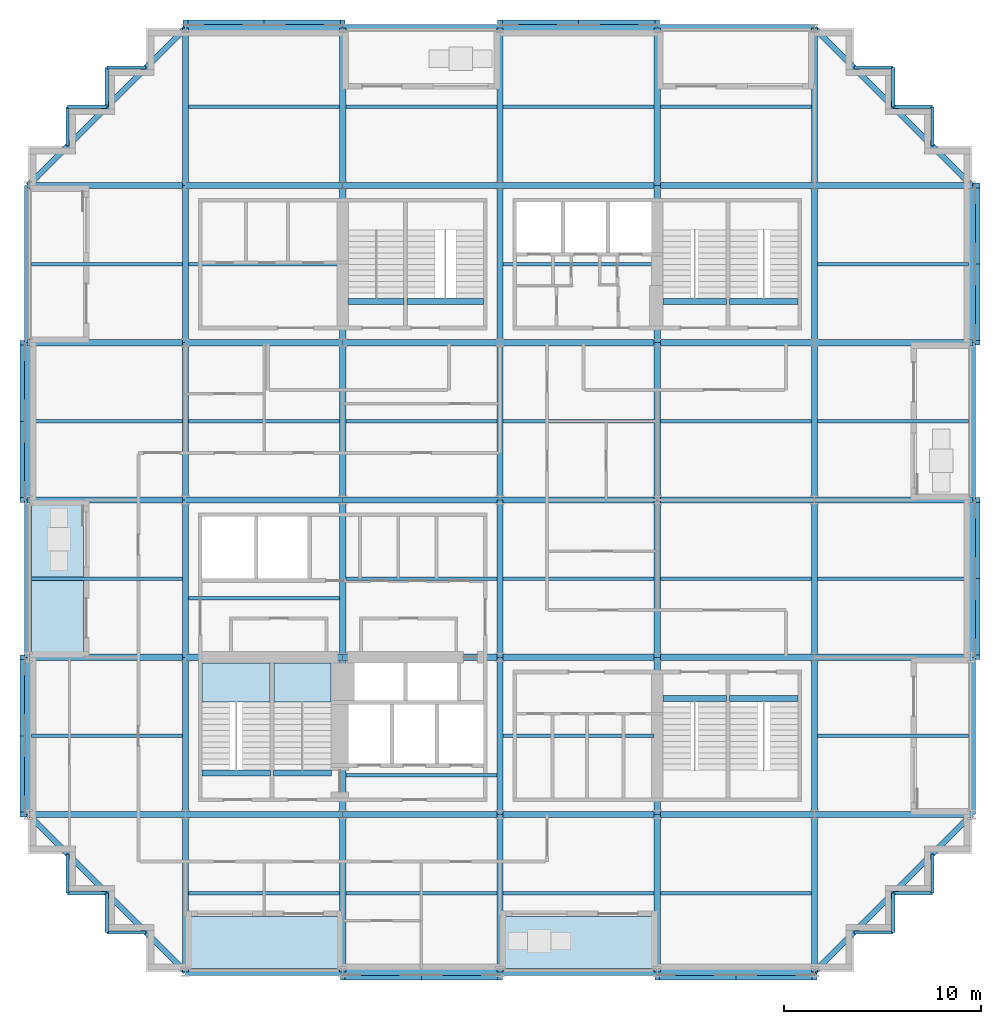
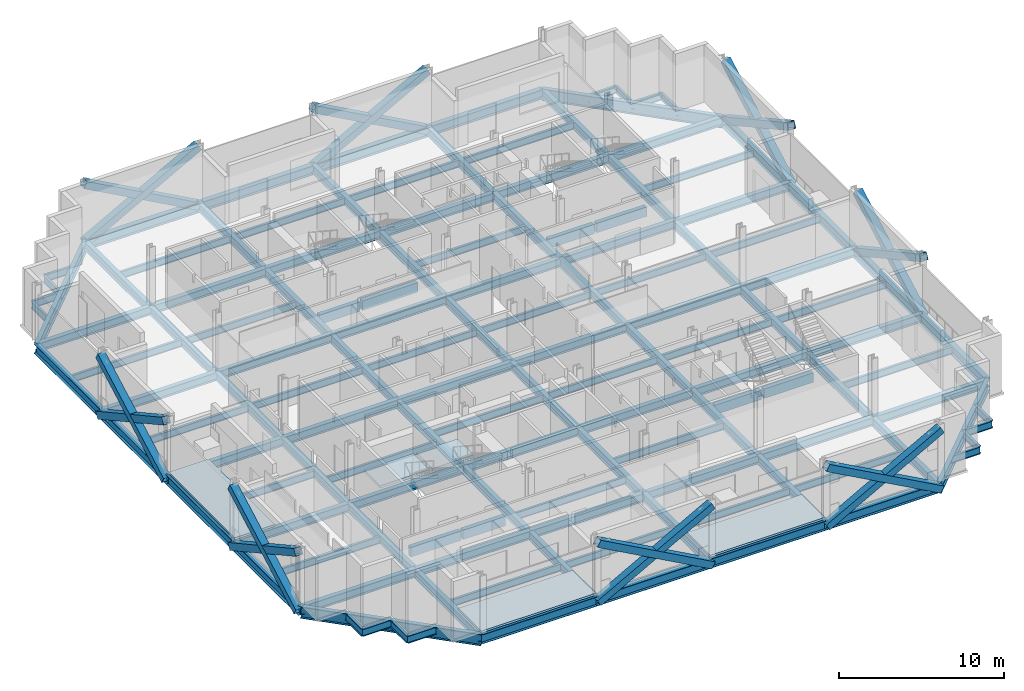
# One storey, part 3 of 14: 132 beams, 16 members, 5 slabs, 2 elements without a shape of their own.
"""IFC4 building model written with IfcOpenShell, lengths in metres."""

from ifc_helpers import new_model, si_unit, direction, frame, origin, origin_2d, place, context, subcontext, project, spatial, polyline, rectangle, hollow_rectangle, i_section, outline, extrude, material, layer, layer_set, material_profile, profile_set, type_object, element, aggregate, save


model = new_model("IFC4")

# Units and contexts
model_context = context("Model", 3, precision=1e-05, world=origin(), true_north=direction((0.0, 1.0)))
body_context = subcontext(model_context, "Body", "Model", "MODEL_VIEW")
ifc_project = project(units=[si_unit("LENGTHUNIT", "METRE"), si_unit("AREAUNIT", "SQUARE_METRE"), si_unit("VOLUMEUNIT", "CUBIC_METRE"), si_unit("PLANEANGLEUNIT", "RADIAN"), si_unit("MASSUNIT", "GRAM", prefix="KILO")], contexts=[model_context])

# Site, building, storey
site_placement = place(None, origin())
site = spatial("IfcSite", under=ifc_project, at=site_placement, CompositionType="ELEMENT")
building_placement = place(site_placement, origin())
building = spatial("IfcBuilding", under=site, at=building_placement, Name="Immortelle Media Tower", CompositionType="ELEMENT")
storey_placement = place(building_placement, frame((0.0, 0.0, 39.199951171875)))
storey = spatial("IfcBuildingStorey", under=building, at=storey_placement, Name="L05", CompositionType="ELEMENT", Elevation=39.199951171875)

# Members
ifc_material_1 = material(Name="Steel ASTM A500 Gr C", Category="steel")
ifc_material_profile_1 = material_profile(ifc_material_1, hollow_rectangle(XDim=0.508056640625, YDim=0.508056640625, WallThickness=0.011962890625, at=origin_2d()), Name="HSS20x20x1/2 brace")
ifc_profile_set_1 = profile_set([ifc_material_profile_1], Name="Steel ASTM A500 Gr C")
member_type = type_object("IfcMemberType", Name="HSS20x20x1/2 brace", PredefinedType="BRACE", material=ifc_profile_set_1)
for number, where, z_axis, x_axis, name in (
    (1, (-0.1640625, 32.0, -0.498046875), (0.0, -0.876209133828, 0.481931067474), (1.0, 0.0, 0.0), "Brace 1/D-E A"),
    (2, (-0.1640625, 32.0, 3.902099609375), (0.0, -0.876209133828, -0.481931067474), (1.0, 0.0, 0.0), "Brace 1/D-E B"),
    (3, (-0.1640625, 16.0, -0.498046875), (0.0, -0.876209133828, 0.481931067474), (1.0, 0.0, 0.0), "Brace 1/B-C A"),
    (4, (-0.1640625, 16.0, 3.902099609375), (0.0, -0.876209133828, -0.481931067474), (1.0, 0.0, 0.0), "Brace 1/B-C B"),
    (5, (16.0, -0.1640625, -0.498046875), (0.876209133828, 0.0, 0.481931067474), (0.0, 1.0, 0.0), "Brace A/3-4 A"),
    (6, (16.0, -0.1640625, 3.902099609375), (0.876209133828, 0.0, -0.481931067474), (0.0, 1.0, 0.0), "Brace A/3-4 B"),
    (7, (32.0, -0.1640625, -0.498046875), (0.876209133828, 0.0, 0.481931067474), (0.0, 1.0, 0.0), "Brace A/5-6 A"),
    (8, (32.0, -0.1640625, 3.902099609375), (0.876209133828, 0.0, -0.481931067474), (0.0, 1.0, 0.0), "Brace A/5-6 B"),
    (9, (48.1640625, 16.0, -0.498046875), (0.0, 0.876209133828, 0.481931067474), (-1.0, 0.0, 0.0), "Brace 7/C-D A"),
    (10, (48.1640625, 16.0, 3.902099609375), (0.0, 0.876209133828, -0.481931067474), (-1.0, 0.0, 0.0), "Brace 7/C-D B"),
    (11, (48.1640625, 32.0, -0.498046875), (0.0, 0.876209133828, 0.481931067474), (-1.0, 0.0, 0.0), "Brace 7/E-F A"),
    (12, (48.1640625, 32.0, 3.902099609375), (0.0, 0.876209133828, -0.481931067474), (-1.0, 0.0, 0.0), "Brace 7/E-F B"),
    (13, (32.0, 48.1640625, -0.498046875), (-0.876209133828, 0.0, 0.481931067474), (0.0, -1.0, 0.0), "Brace G/4-5 A"),
    (14, (32.0, 48.1640625, 3.902099609375), (-0.876209133828, 0.0, -0.481931067474), (0.0, -1.0, 0.0), "Brace G/4-5 B"),
    (15, (16.0, 48.1640625, -0.498046875), (-0.876209133828, 0.0, 0.481931067474), (0.0, -1.0, 0.0), "Brace G/2-3 A"),
    (16, (16.0, 48.1640625, 3.902099609375), (-0.876209133828, 0.0, -0.481931067474), (0.0, -1.0, 0.0), "Brace G/2-3 B"),
):
    element("IfcMember", number, at=place(storey_placement, frame(where, z_axis=z_axis, x_axis=x_axis)), inside=storey, type_object=member_type, Name=name, PredefinedType="BRACE", context=body_context, shape_type="SweptSolid", body=[
        extrude(hollow_rectangle(XDim=0.508056640625, YDim=0.508056640625, WallThickness=0.011962890625, at=origin_2d()), origin(), (0.0, 0.0, 1.0), 9.130126953125),
    ])

# Beams
ifc_material_2 = material(Name="Concrete C50/60", Category="concrete")
ifc_material_profile_2 = material_profile(ifc_material_2, rectangle(XDim=0.300048828125, YDim=0.699951171875, at=origin_2d()), Name="RC 300x700")
ifc_profile_set_2 = profile_set([ifc_material_profile_2], Name="Concrete C50/60")
beam_type_1 = type_object("IfcBeamType", Name="Stair trimmer beam 300 x 700", PredefinedType="BEAM", material=ifc_profile_set_2)
beam_1_placement = place(storey_placement, frame((8.830078125, 10.10498046875, -0.5), z_axis=(1.0, 0.0, 0.0), x_axis=(0.0, 1.0, 0.0)))
element("IfcBeam", 17, at=beam_1_placement, inside=storey, type_object=beam_type_1, Name="Stair trimmer beam SW1", PredefinedType="BEAM", context=body_context, shape_type="SweptSolid", body=[
    extrude(rectangle(XDim=0.300048828125, YDim=0.699951171875, at=origin_2d()), origin(), (0.0, 0.0, 1.0), 3.489990234375),
])
beam_2_placement = place(storey_placement, frame((12.47998046875, 10.10498046875, -0.5), z_axis=(1.0, 0.0, 0.0), x_axis=(0.0, 1.0, 0.0)))
element("IfcBeam", 18, at=beam_2_placement, inside=storey, type_object=beam_type_1, Name="Stair trimmer beam SW2", PredefinedType="BEAM", context=body_context, shape_type="SweptSolid", body=[
    extrude(rectangle(XDim=0.300048828125, YDim=0.699951171875, at=origin_2d()), origin(), (0.0, 0.0, 1.0), 2.93994140625),
])
beam_3_placement = place(storey_placement, frame((32.280029296875, 13.89501953125, -0.5), z_axis=(1.0, 0.0, 0.0), x_axis=(0.0, 1.0, 0.0)))
element("IfcBeam", 19, at=beam_3_placement, inside=storey, type_object=beam_type_1, Name="Stair trimmer beam SE1", PredefinedType="BEAM", context=body_context, shape_type="SweptSolid", body=[
    extrude(rectangle(XDim=0.300048828125, YDim=0.699951171875, at=origin_2d()), origin(), (0.0, 0.0, 1.0), 3.239990234375),
])
beam_4_placement = place(storey_placement, frame((35.679931640625, 13.89501953125, -0.5), z_axis=(1.0, 0.0, 0.0), x_axis=(0.0, 1.0, 0.0)))
element("IfcBeam", 20, at=beam_4_placement, inside=storey, type_object=beam_type_1, Name="Stair trimmer beam SE2", PredefinedType="BEAM", context=body_context, shape_type="SweptSolid", body=[
    extrude(rectangle(XDim=0.300048828125, YDim=0.699951171875, at=origin_2d()), origin(), (0.0, 0.0, 1.0), 3.489990234375),
])
beam_5_placement = place(storey_placement, frame((16.280029296875, 34.10498046875, -0.5), z_axis=(1.0, 0.0, 0.0), x_axis=(0.0, 1.0, 0.0)))
element("IfcBeam", 21, at=beam_5_placement, inside=storey, type_object=beam_type_1, Name="Stair trimmer beam NW1", PredefinedType="BEAM", context=body_context, shape_type="SweptSolid", body=[
    extrude(rectangle(XDim=0.300048828125, YDim=0.699951171875, at=origin_2d()), origin(), (0.0, 0.0, 1.0), 2.840087890625),
])
beam_6_placement = place(storey_placement, frame((19.280029296875, 34.10498046875, -0.5), z_axis=(1.0, 0.0, 0.0), x_axis=(0.0, 1.0, 0.0)))
element("IfcBeam", 22, at=beam_6_placement, inside=storey, type_object=beam_type_1, Name="Stair trimmer beam NW2", PredefinedType="BEAM", context=body_context, shape_type="SweptSolid", body=[
    extrude(rectangle(XDim=0.300048828125, YDim=0.699951171875, at=origin_2d()), origin(), (0.0, 0.0, 1.0), 3.889892578125),
])
beam_7_placement = place(storey_placement, frame((32.280029296875, 34.10498046875, -0.5), z_axis=(1.0, 0.0, 0.0), x_axis=(0.0, 1.0, 0.0)))
element("IfcBeam", 23, at=beam_7_placement, inside=storey, type_object=beam_type_1, Name="Stair trimmer beam NE1", PredefinedType="BEAM", context=body_context, shape_type="SweptSolid", body=[
    extrude(rectangle(XDim=0.300048828125, YDim=0.699951171875, at=origin_2d()), origin(), (0.0, 0.0, 1.0), 3.239990234375),
])
beam_8_placement = place(storey_placement, frame((35.679931640625, 34.10498046875, -0.5), z_axis=(1.0, 0.0, 0.0), x_axis=(0.0, 1.0, 0.0)))
element("IfcBeam", 24, at=beam_8_placement, inside=storey, type_object=beam_type_1, Name="Stair trimmer beam NE2", PredefinedType="BEAM", context=body_context, shape_type="SweptSolid", body=[
    extrude(rectangle(XDim=0.300048828125, YDim=0.699951171875, at=origin_2d()), origin(), (0.0, 0.0, 1.0), 3.489990234375),
])
ifc_material_3 = material(Name="Steel ASTM A992 Gr 50", Category="steel")
ifc_material_profile_3 = material_profile(ifc_material_3, i_section(OverallWidth=0.1669921875, OverallDepth=0.535888671875, WebThickness=0.010009765625, FlangeThickness=0.01708984375, at=origin_2d()), Name="W21x57")
ifc_profile_set_3 = profile_set([ifc_material_profile_3], Name="Steel ASTM A992 Gr 50")
beam_type_2 = type_object("IfcBeamType", Name="W21x57 secondary beam", PredefinedType="JOIST", material=ifc_profile_set_3)
for number, where, z_axis, x_axis, name in (
    (25, (8.162109375, 4.0, -0.41796875), (1.0, 0.0, 0.0), (0.0, 1.0, 0.0), "Beam A-B/2-3"),
    (26, (16.162109375, 4.0, -0.41796875), (1.0, 0.0, 0.0), (0.0, 1.0, 0.0), "Beam A-B/3-4"),
    (27, (24.162109375, 4.0, -0.41796875), (1.0, 0.0, 0.0), (0.0, 1.0, 0.0), "Beam A-B/4-5"),
    (28, (32.162109375, 4.0, -0.41796875), (1.0, 0.0, 0.0), (0.0, 1.0, 0.0), "Beam A-B/5-6"),
):
    element("IfcBeam", number, at=place(storey_placement, frame(where, z_axis=z_axis, x_axis=x_axis)), inside=storey, type_object=beam_type_2, Name=name, PredefinedType="JOIST", context=body_context, shape_type="SweptSolid", body=[
        extrude(i_section(OverallWidth=0.1669921875, OverallDepth=0.535888671875, WebThickness=0.010009765625, FlangeThickness=0.01708984375, at=origin_2d()), origin(), (0.0, 0.0, 1.0), 7.67578125),
    ])
beam_9_placement = place(storey_placement, frame((0.177978515625, 12.0, -0.41796875), z_axis=(1.0, 0.0, 0.0), x_axis=(0.0, 1.0, 0.0)))
element("IfcBeam", 29, at=beam_9_placement, inside=storey, type_object=beam_type_2, Name="Beam B-C/1-2", PredefinedType="JOIST", context=body_context, shape_type="SweptSolid", body=[
    extrude(i_section(OverallWidth=0.1669921875, OverallDepth=0.535888671875, WebThickness=0.010009765625, FlangeThickness=0.01708984375, at=origin_2d()), origin(), (0.0, 0.0, 1.0), 7.659912109375),
])
for number, where, z_axis, x_axis, name in (
    (30, (16.162109375, 10.0, -0.41796875), (1.0, 0.0, 0.0), (0.0, 1.0, 0.0), "Beam B-C/3-4"),
    (31, (24.162109375, 12.0, -0.41796875), (1.0, 0.0, 0.0), (0.0, 1.0, 0.0), "Beam B-C/4-5"),
):
    element("IfcBeam", number, at=place(storey_placement, frame(where, z_axis=z_axis, x_axis=x_axis)), inside=storey, type_object=beam_type_2, Name=name, PredefinedType="JOIST", context=body_context, shape_type="SweptSolid", body=[
        extrude(i_section(OverallWidth=0.1669921875, OverallDepth=0.535888671875, WebThickness=0.010009765625, FlangeThickness=0.01708984375, at=origin_2d()), origin(), (0.0, 0.0, 1.0), 7.67578125),
    ])
for number, where, z_axis, x_axis, name in (
    (32, (40.162109375, 12.0, -0.41796875), (1.0, 0.0, 0.0), (0.0, 1.0, 0.0), "Beam B-C/6-7"),
    (33, (0.177978515625, 20.0, -0.41796875), (1.0, 0.0, 0.0), (0.0, 1.0, 0.0), "Beam C-D/1-2"),
):
    element("IfcBeam", number, at=place(storey_placement, frame(where, z_axis=z_axis, x_axis=x_axis)), inside=storey, type_object=beam_type_2, Name=name, PredefinedType="JOIST", context=body_context, shape_type="SweptSolid", body=[
        extrude(i_section(OverallWidth=0.1669921875, OverallDepth=0.535888671875, WebThickness=0.010009765625, FlangeThickness=0.01708984375, at=origin_2d()), origin(), (0.0, 0.0, 1.0), 7.659912109375),
    ])
for number, where, z_axis, x_axis, name in (
    (34, (8.162109375, 19.0, -0.41796875), (1.0, 0.0, 0.0), (0.0, 1.0, 0.0), "Beam C-D/2-3"),
    (35, (16.162109375, 20.0, -0.41796875), (1.0, 0.0, 0.0), (0.0, 1.0, 0.0), "Beam C-D/3-4"),
    (36, (24.162109375, 20.0, -0.41796875), (1.0, 0.0, 0.0), (0.0, 1.0, 0.0), "Beam C-D/4-5"),
    (37, (32.162109375, 20.0, -0.41796875), (1.0, 0.0, 0.0), (0.0, 1.0, 0.0), "Beam C-D/5-6"),
):
    element("IfcBeam", number, at=place(storey_placement, frame(where, z_axis=z_axis, x_axis=x_axis)), inside=storey, type_object=beam_type_2, Name=name, PredefinedType="JOIST", context=body_context, shape_type="SweptSolid", body=[
        extrude(i_section(OverallWidth=0.1669921875, OverallDepth=0.535888671875, WebThickness=0.010009765625, FlangeThickness=0.01708984375, at=origin_2d()), origin(), (0.0, 0.0, 1.0), 7.67578125),
    ])
for number, where, z_axis, x_axis, name in (
    (38, (40.162109375, 20.0, -0.41796875), (1.0, 0.0, 0.0), (0.0, 1.0, 0.0), "Beam C-D/6-7"),
    (39, (0.177978515625, 28.0, -0.41796875), (1.0, 0.0, 0.0), (0.0, 1.0, 0.0), "Beam D-E/1-2"),
):
    element("IfcBeam", number, at=place(storey_placement, frame(where, z_axis=z_axis, x_axis=x_axis)), inside=storey, type_object=beam_type_2, Name=name, PredefinedType="JOIST", context=body_context, shape_type="SweptSolid", body=[
        extrude(i_section(OverallWidth=0.1669921875, OverallDepth=0.535888671875, WebThickness=0.010009765625, FlangeThickness=0.01708984375, at=origin_2d()), origin(), (0.0, 0.0, 1.0), 7.659912109375),
    ])
for number, where, z_axis, x_axis, name in (
    (40, (8.162109375, 28.0, -0.41796875), (1.0, 0.0, 0.0), (0.0, 1.0, 0.0), "Beam D-E/2-3"),
    (41, (16.162109375, 28.0, -0.41796875), (1.0, 0.0, 0.0), (0.0, 1.0, 0.0), "Beam D-E/3-4"),
    (42, (24.162109375, 28.0, -0.41796875), (1.0, 0.0, 0.0), (0.0, 1.0, 0.0), "Beam D-E/4-5"),
    (43, (32.162109375, 28.0, -0.41796875), (1.0, 0.0, 0.0), (0.0, 1.0, 0.0), "Beam D-E/5-6"),
):
    element("IfcBeam", number, at=place(storey_placement, frame(where, z_axis=z_axis, x_axis=x_axis)), inside=storey, type_object=beam_type_2, Name=name, PredefinedType="JOIST", context=body_context, shape_type="SweptSolid", body=[
        extrude(i_section(OverallWidth=0.1669921875, OverallDepth=0.535888671875, WebThickness=0.010009765625, FlangeThickness=0.01708984375, at=origin_2d()), origin(), (0.0, 0.0, 1.0), 7.67578125),
    ])
for number, where, z_axis, x_axis, name in (
    (44, (40.162109375, 28.0, -0.41796875), (1.0, 0.0, 0.0), (0.0, 1.0, 0.0), "Beam D-E/6-7"),
    (45, (0.177978515625, 36.0, -0.41796875), (1.0, 0.0, 0.0), (0.0, 1.0, 0.0), "Beam E-F/1-2"),
):
    element("IfcBeam", number, at=place(storey_placement, frame(where, z_axis=z_axis, x_axis=x_axis)), inside=storey, type_object=beam_type_2, Name=name, PredefinedType="JOIST", context=body_context, shape_type="SweptSolid", body=[
        extrude(i_section(OverallWidth=0.1669921875, OverallDepth=0.535888671875, WebThickness=0.010009765625, FlangeThickness=0.01708984375, at=origin_2d()), origin(), (0.0, 0.0, 1.0), 7.659912109375),
    ])
for number, where, z_axis, x_axis, name in (
    (46, (8.162109375, 36.0, -0.41796875), (1.0, 0.0, 0.0), (0.0, 1.0, 0.0), "Beam E-F/2-3"),
    (47, (24.162109375, 36.0, -0.41796875), (1.0, 0.0, 0.0), (0.0, 1.0, 0.0), "Beam E-F/4-5"),
):
    element("IfcBeam", number, at=place(storey_placement, frame(where, z_axis=z_axis, x_axis=x_axis)), inside=storey, type_object=beam_type_2, Name=name, PredefinedType="JOIST", context=body_context, shape_type="SweptSolid", body=[
        extrude(i_section(OverallWidth=0.1669921875, OverallDepth=0.535888671875, WebThickness=0.010009765625, FlangeThickness=0.01708984375, at=origin_2d()), origin(), (0.0, 0.0, 1.0), 7.67578125),
    ])
beam_10_placement = place(storey_placement, frame((40.162109375, 36.0, -0.41796875), z_axis=(1.0, 0.0, 0.0), x_axis=(0.0, 1.0, 0.0)))
element("IfcBeam", 48, at=beam_10_placement, inside=storey, type_object=beam_type_2, Name="Beam E-F/6-7", PredefinedType="JOIST", context=body_context, shape_type="SweptSolid", body=[
    extrude(i_section(OverallWidth=0.1669921875, OverallDepth=0.535888671875, WebThickness=0.010009765625, FlangeThickness=0.01708984375, at=origin_2d()), origin(), (0.0, 0.0, 1.0), 7.659912109375),
])
for number, where, z_axis, x_axis, name in (
    (49, (8.162109375, 44.0, -0.41796875), (1.0, 0.0, 0.0), (0.0, 1.0, 0.0), "Beam F-G/2-3"),
    (50, (16.162109375, 44.0, -0.41796875), (1.0, 0.0, 0.0), (0.0, 1.0, 0.0), "Beam F-G/3-4"),
    (51, (24.162109375, 44.0, -0.41796875), (1.0, 0.0, 0.0), (0.0, 1.0, 0.0), "Beam F-G/4-5"),
    (52, (32.162109375, 44.0, -0.41796875), (1.0, 0.0, 0.0), (0.0, 1.0, 0.0), "Beam F-G/5-6"),
):
    element("IfcBeam", number, at=place(storey_placement, frame(where, z_axis=z_axis, x_axis=x_axis)), inside=storey, type_object=beam_type_2, Name=name, PredefinedType="JOIST", context=body_context, shape_type="SweptSolid", body=[
        extrude(i_section(OverallWidth=0.1669921875, OverallDepth=0.535888671875, WebThickness=0.010009765625, FlangeThickness=0.01708984375, at=origin_2d()), origin(), (0.0, 0.0, 1.0), 7.67578125),
    ])
ifc_material_profile_4 = material_profile(ifc_material_3, i_section(OverallWidth=0.1669921875, OverallDepth=0.535888671875, WebThickness=0.010009765625, FlangeThickness=0.01708984375, at=origin_2d()), Name="W21x57")
ifc_profile_set_4 = profile_set([ifc_material_profile_4], Name="Steel ASTM A992 Gr 50")
beam_type_3 = type_object("IfcBeamType", Name="W21x57 serration edge beam", PredefinedType="SPANDREL", material=ifc_profile_set_4)
for number, where, z_axis, x_axis, name in (
    (53, (6.0, 2.0, -0.41796875), (-1.0, 0.0, 0.0), (0.0, -1.0, 0.0), "Corner edge beam 1 at 1/A"),
    (54, (4.0, 2.0, -0.41796875), (0.0, 1.0, 0.0), (-1.0, 0.0, 0.0), "Corner edge beam 2 at 1/A"),
    (55, (4.0, 4.0, -0.41796875), (-1.0, 0.0, 0.0), (0.0, -1.0, 0.0), "Corner edge beam 3 at 1/A"),
    (56, (2.0, 4.0, -0.41796875), (0.0, 1.0, 0.0), (-1.0, 0.0, 0.0), "Corner edge beam 4 at 1/A"),
    (57, (2.0, 42.0, -0.41796875), (0.0, 1.0, 0.0), (-1.0, 0.0, 0.0), "Corner edge beam 1 at 1/G"),
    (58, (2.0, 44.0, -0.41796875), (1.0, 0.0, 0.0), (0.0, 1.0, 0.0), "Corner edge beam 2 at 1/G"),
    (59, (4.0, 44.0, -0.41796875), (0.0, 1.0, 0.0), (-1.0, 0.0, 0.0), "Corner edge beam 3 at 1/G"),
    (60, (4.0, 46.0, -0.41796875), (1.0, 0.0, 0.0), (0.0, 1.0, 0.0), "Corner edge beam 4 at 1/G"),
    (61, (46.0, 6.0, -0.41796875), (0.0, -1.0, 0.0), (1.0, 0.0, 0.0), "Corner edge beam 1 at 7/A"),
    (62, (46.0, 4.0, -0.41796875), (-1.0, 0.0, 0.0), (0.0, -1.0, 0.0), "Corner edge beam 2 at 7/A"),
    (63, (44.0, 4.0, -0.41796875), (0.0, -1.0, 0.0), (1.0, 0.0, 0.0), "Corner edge beam 3 at 7/A"),
    (64, (44.0, 2.0, -0.41796875), (-1.0, 0.0, 0.0), (0.0, -1.0, 0.0), "Corner edge beam 4 at 7/A"),
    (65, (42.0, 46.0, -0.41796875), (1.0, 0.0, 0.0), (0.0, 1.0, 0.0), "Corner edge beam 1 at 7/G"),
    (66, (44.0, 46.0, -0.41796875), (0.0, -1.0, 0.0), (1.0, 0.0, 0.0), "Corner edge beam 2 at 7/G"),
    (67, (44.0, 44.0, -0.41796875), (1.0, 0.0, 0.0), (0.0, 1.0, 0.0), "Corner edge beam 3 at 7/G"),
    (68, (46.0, 44.0, -0.41796875), (0.0, -1.0, 0.0), (1.0, 0.0, 0.0), "Corner edge beam 4 at 7/G"),
):
    element("IfcBeam", number, at=place(storey_placement, frame(where, z_axis=z_axis, x_axis=x_axis)), inside=storey, type_object=beam_type_3, Name=name, PredefinedType="SPANDREL", context=body_context, shape_type="SweptSolid", body=[
        extrude(i_section(OverallWidth=0.1669921875, OverallDepth=0.535888671875, WebThickness=0.010009765625, FlangeThickness=0.01708984375, at=origin_2d()), origin(), (0.0, 0.0, 1.0), 2.0),
    ])
ifc_material_profile_5 = material_profile(ifc_material_3, i_section(OverallWidth=0.323974609375, OverallDepth=0.612060546875, WebThickness=0.012939453125, FlangeThickness=0.01904296875, at=origin_2d()), Name="W24x104")
ifc_profile_set_5 = profile_set([ifc_material_profile_5], Name="Steel ASTM A992 Gr 50")
beam_type_4 = type_object("IfcBeamType", Name="W24x104 girder", PredefinedType="BEAM", material=ifc_profile_set_5)
for number, where, z_axis, x_axis, name in (
    (69, (0.0, 8.0, -0.4560546875), (1.0, 0.0, 0.0), (0.0, 1.0, 0.0), "Girder B/1-2"),
    (70, (0.0, 16.0, -0.4560546875), (1.0, 0.0, 0.0), (0.0, 1.0, 0.0), "Girder C/1-2"),
    (71, (0.0, 24.0, -0.4560546875), (1.0, 0.0, 0.0), (0.0, 1.0, 0.0), "Girder D/1-2"),
    (72, (0.0, 32.0, -0.4560546875), (1.0, 0.0, 0.0), (0.0, 1.0, 0.0), "Girder E/1-2"),
    (73, (0.0, 40.0, -0.4560546875), (1.0, 0.0, 0.0), (0.0, 1.0, 0.0), "Girder F/1-2"),
    (74, (8.0, 0.0, -0.4560546875), (0.0, 1.0, 0.0), (-1.0, 0.0, 0.0), "Girder 2/A-B"),
    (75, (8.0, 8.0, -0.4560546875), (1.0, 0.0, 0.0), (0.0, 1.0, 0.0), "Girder B/2-3"),
    (76, (8.0, 8.0, -0.4560546875), (0.0, 1.0, 0.0), (-1.0, 0.0, 0.0), "Girder 2/B-C"),
    (77, (8.0, 16.0, -0.4560546875), (1.0, 0.0, 0.0), (0.0, 1.0, 0.0), "Girder C/2-3"),
    (78, (8.0, 16.0, -0.4560546875), (0.0, 1.0, 0.0), (-1.0, 0.0, 0.0), "Girder 2/C-D"),
    (79, (8.0, 24.0, -0.4560546875), (1.0, 0.0, 0.0), (0.0, 1.0, 0.0), "Girder D/2-3"),
    (80, (8.0, 24.0, -0.4560546875), (0.0, 1.0, 0.0), (-1.0, 0.0, 0.0), "Girder 2/D-E"),
    (81, (8.0, 32.0, -0.4560546875), (1.0, 0.0, 0.0), (0.0, 1.0, 0.0), "Girder E/2-3"),
    (82, (8.0, 32.0, -0.4560546875), (0.0, 1.0, 0.0), (-1.0, 0.0, 0.0), "Girder 2/E-F"),
    (83, (8.0, 40.0, -0.4560546875), (1.0, 0.0, 0.0), (0.0, 1.0, 0.0), "Girder F/2-3"),
    (84, (8.0, 40.0, -0.4560546875), (0.0, 1.0, 0.0), (-1.0, 0.0, 0.0), "Girder 2/F-G"),
    (85, (16.0, 0.0, -0.4560546875), (0.0, 1.0, 0.0), (-1.0, 0.0, 0.0), "Girder 3/A-B"),
    (86, (16.0, 8.0, -0.4560546875), (1.0, 0.0, 0.0), (0.0, 1.0, 0.0), "Girder B/3-4"),
    (87, (16.0, 8.0, -0.4560546875), (0.0, 1.0, 0.0), (-1.0, 0.0, 0.0), "Girder 3/B-C"),
    (88, (16.0, 16.0, -0.4560546875), (1.0, 0.0, 0.0), (0.0, 1.0, 0.0), "Girder C/3-4"),
    (89, (16.0, 16.0, -0.4560546875), (0.0, 1.0, 0.0), (-1.0, 0.0, 0.0), "Girder 3/C-D"),
    (90, (16.0, 24.0, -0.4560546875), (1.0, 0.0, 0.0), (0.0, 1.0, 0.0), "Girder D/3-4"),
    (91, (16.0, 24.0, -0.4560546875), (0.0, 1.0, 0.0), (-1.0, 0.0, 0.0), "Girder 3/D-E"),
    (92, (16.0, 32.0, -0.4560546875), (1.0, 0.0, 0.0), (0.0, 1.0, 0.0), "Girder E/3-4"),
    (93, (16.0, 32.0, -0.4560546875), (0.0, 1.0, 0.0), (-1.0, 0.0, 0.0), "Girder 3/E-F"),
    (94, (16.0, 40.0, -0.4560546875), (1.0, 0.0, 0.0), (0.0, 1.0, 0.0), "Girder F/3-4"),
    (95, (16.0, 40.0, -0.4560546875), (0.0, 1.0, 0.0), (-1.0, 0.0, 0.0), "Girder 3/F-G"),
    (96, (24.0, 0.0, -0.4560546875), (0.0, 1.0, 0.0), (-1.0, 0.0, 0.0), "Girder 4/A-B"),
    (97, (24.0, 8.0, -0.4560546875), (1.0, 0.0, 0.0), (0.0, 1.0, 0.0), "Girder B/4-5"),
    (98, (24.0, 8.0, -0.4560546875), (0.0, 1.0, 0.0), (-1.0, 0.0, 0.0), "Girder 4/B-C"),
    (99, (24.0, 16.0, -0.4560546875), (1.0, 0.0, 0.0), (0.0, 1.0, 0.0), "Girder C/4-5"),
    (100, (24.0, 16.0, -0.4560546875), (0.0, 1.0, 0.0), (-1.0, 0.0, 0.0), "Girder 4/C-D"),
    (101, (24.0, 24.0, -0.4560546875), (1.0, 0.0, 0.0), (0.0, 1.0, 0.0), "Girder D/4-5"),
    (102, (24.0, 24.0, -0.4560546875), (0.0, 1.0, 0.0), (-1.0, 0.0, 0.0), "Girder 4/D-E"),
    (103, (24.0, 32.0, -0.4560546875), (1.0, 0.0, 0.0), (0.0, 1.0, 0.0), "Girder E/4-5"),
    (104, (24.0, 32.0, -0.4560546875), (0.0, 1.0, 0.0), (-1.0, 0.0, 0.0), "Girder 4/E-F"),
    (105, (24.0, 40.0, -0.4560546875), (1.0, 0.0, 0.0), (0.0, 1.0, 0.0), "Girder F/4-5"),
    (106, (24.0, 40.0, -0.4560546875), (0.0, 1.0, 0.0), (-1.0, 0.0, 0.0), "Girder 4/F-G"),
    (107, (32.0, 0.0, -0.4560546875), (0.0, 1.0, 0.0), (-1.0, 0.0, 0.0), "Girder 5/A-B"),
    (108, (32.0, 8.0, -0.4560546875), (1.0, 0.0, 0.0), (0.0, 1.0, 0.0), "Girder B/5-6"),
    (109, (32.0, 8.0, -0.4560546875), (0.0, 1.0, 0.0), (-1.0, 0.0, 0.0), "Girder 5/B-C"),
    (110, (32.0, 16.0, -0.4560546875), (1.0, 0.0, 0.0), (0.0, 1.0, 0.0), "Girder C/5-6"),
    (111, (32.0, 16.0, -0.4560546875), (0.0, 1.0, 0.0), (-1.0, 0.0, 0.0), "Girder 5/C-D"),
    (112, (32.0, 24.0, -0.4560546875), (1.0, 0.0, 0.0), (0.0, 1.0, 0.0), "Girder D/5-6"),
    (113, (32.0, 24.0, -0.4560546875), (0.0, 1.0, 0.0), (-1.0, 0.0, 0.0), "Girder 5/D-E"),
    (114, (32.0, 32.0, -0.4560546875), (1.0, 0.0, 0.0), (0.0, 1.0, 0.0), "Girder E/5-6"),
    (115, (32.0, 32.0, -0.4560546875), (0.0, 1.0, 0.0), (-1.0, 0.0, 0.0), "Girder 5/E-F"),
    (116, (32.0, 40.0, -0.4560546875), (1.0, 0.0, 0.0), (0.0, 1.0, 0.0), "Girder F/5-6"),
    (117, (32.0, 40.0, -0.4560546875), (0.0, 1.0, 0.0), (-1.0, 0.0, 0.0), "Girder 5/F-G"),
    (118, (40.0, 0.0, -0.4560546875), (0.0, 1.0, 0.0), (-1.0, 0.0, 0.0), "Girder 6/A-B"),
    (119, (40.0, 8.0, -0.4560546875), (1.0, 0.0, 0.0), (0.0, 1.0, 0.0), "Girder B/6-7"),
    (120, (40.0, 8.0, -0.4560546875), (0.0, 1.0, 0.0), (-1.0, 0.0, 0.0), "Girder 6/B-C"),
    (121, (40.0, 16.0, -0.4560546875), (1.0, 0.0, 0.0), (0.0, 1.0, 0.0), "Girder C/6-7"),
    (122, (40.0, 16.0, -0.4560546875), (0.0, 1.0, 0.0), (-1.0, 0.0, 0.0), "Girder 6/C-D"),
    (123, (40.0, 24.0, -0.4560546875), (1.0, 0.0, 0.0), (0.0, 1.0, 0.0), "Girder D/6-7"),
    (124, (40.0, 24.0, -0.4560546875), (0.0, 1.0, 0.0), (-1.0, 0.0, 0.0), "Girder 6/D-E"),
    (125, (40.0, 32.0, -0.4560546875), (1.0, 0.0, 0.0), (0.0, 1.0, 0.0), "Girder E/6-7"),
    (126, (40.0, 32.0, -0.4560546875), (0.0, 1.0, 0.0), (-1.0, 0.0, 0.0), "Girder 6/E-F"),
    (127, (40.0, 40.0, -0.4560546875), (1.0, 0.0, 0.0), (0.0, 1.0, 0.0), "Girder F/6-7"),
    (128, (40.0, 40.0, -0.4560546875), (0.0, 1.0, 0.0), (-1.0, 0.0, 0.0), "Girder 6/F-G"),
):
    element("IfcBeam", number, at=place(storey_placement, frame(where, z_axis=z_axis, x_axis=x_axis)), inside=storey, type_object=beam_type_4, Name=name, PredefinedType="BEAM", context=body_context, shape_type="SweptSolid", body=[
        extrude(i_section(OverallWidth=0.323974609375, OverallDepth=0.612060546875, WebThickness=0.012939453125, FlangeThickness=0.01904296875, at=origin_2d()), origin(), (0.0, 0.0, 1.0), 8.0),
    ])
ifc_material_profile_6 = material_profile(ifc_material_3, i_section(OverallWidth=0.35595703125, OverallDepth=0.696044921875, WebThickness=0.014892578125, FlangeThickness=0.02490234375, at=origin_2d()), Name="W27x146")
ifc_profile_set_6 = profile_set([ifc_material_profile_6], Name="Steel ASTM A992 Gr 50")
beam_type_5 = type_object("IfcBeamType", Name="W27x146 perimeter girder", PredefinedType="SPANDREL", material=ifc_profile_set_6)
for number, where, z_axis, x_axis, name in (
    (129, (0.0, 8.0, -0.498046875), (0.0, 1.0, 0.0), (-1.0, 0.0, 0.0), "Girder 1/B-C"),
    (130, (0.0, 16.0, -0.498046875), (0.0, 1.0, 0.0), (-1.0, 0.0, 0.0), "Girder 1/C-D"),
    (131, (0.0, 24.0, -0.498046875), (0.0, 1.0, 0.0), (-1.0, 0.0, 0.0), "Girder 1/D-E"),
    (132, (0.0, 32.0, -0.498046875), (0.0, 1.0, 0.0), (-1.0, 0.0, 0.0), "Girder 1/E-F"),
    (133, (8.0, 0.0, -0.498046875), (1.0, 0.0, 0.0), (0.0, 1.0, 0.0), "Girder A/2-3"),
    (134, (8.0, 48.0, -0.498046875), (1.0, 0.0, 0.0), (0.0, 1.0, 0.0), "Girder G/2-3"),
    (135, (16.0, 0.0, -0.498046875), (1.0, 0.0, 0.0), (0.0, 1.0, 0.0), "Girder A/3-4"),
    (136, (16.0, 48.0, -0.498046875), (1.0, 0.0, 0.0), (0.0, 1.0, 0.0), "Girder G/3-4"),
    (137, (24.0, 0.0, -0.498046875), (1.0, 0.0, 0.0), (0.0, 1.0, 0.0), "Girder A/4-5"),
    (138, (24.0, 48.0, -0.498046875), (1.0, 0.0, 0.0), (0.0, 1.0, 0.0), "Girder G/4-5"),
    (139, (32.0, 0.0, -0.498046875), (1.0, 0.0, 0.0), (0.0, 1.0, 0.0), "Girder A/5-6"),
    (140, (32.0, 48.0, -0.498046875), (1.0, 0.0, 0.0), (0.0, 1.0, 0.0), "Girder G/5-6"),
    (141, (48.0, 8.0, -0.498046875), (0.0, 1.0, 0.0), (-1.0, 0.0, 0.0), "Girder 7/B-C"),
    (142, (48.0, 16.0, -0.498046875), (0.0, 1.0, 0.0), (-1.0, 0.0, 0.0), "Girder 7/C-D"),
    (143, (48.0, 24.0, -0.498046875), (0.0, 1.0, 0.0), (-1.0, 0.0, 0.0), "Girder 7/D-E"),
    (144, (48.0, 32.0, -0.498046875), (0.0, 1.0, 0.0), (-1.0, 0.0, 0.0), "Girder 7/E-F"),
):
    element("IfcBeam", number, at=place(storey_placement, frame(where, z_axis=z_axis, x_axis=x_axis)), inside=storey, type_object=beam_type_5, Name=name, PredefinedType="SPANDREL", context=body_context, shape_type="SweptSolid", body=[
        extrude(i_section(OverallWidth=0.35595703125, OverallDepth=0.696044921875, WebThickness=0.014892578125, FlangeThickness=0.02490234375, at=origin_2d()), origin(), (0.0, 0.0, 1.0), 8.0),
    ])
ifc_material_profile_7 = material_profile(ifc_material_3, i_section(OverallWidth=0.2919921875, OverallDepth=0.85888671875, WebThickness=0.01708984375, FlangeThickness=0.031005859375, at=origin_2d()), Name="W33x169")
ifc_profile_set_7 = profile_set([ifc_material_profile_7], Name="Steel ASTM A992 Gr 50")
beam_type_6 = type_object("IfcBeamType", Name="W33x169 corner girder", PredefinedType="SPANDREL", material=ifc_profile_set_7)
for number, where, z_axis, x_axis, name in (
    (145, (8.0, 0.0, -0.579345703125), (-0.707106781187, 0.707106781187, 0.0), (-0.707106781187, -0.707106781187, 0.0), "Corner girder at 1/A"),
    (146, (0.0, 40.0, -0.579345703125), (0.707106781187, 0.707106781187, 0.0), (-0.707106781187, 0.707106781187, 0.0), "Corner girder at 1/G"),
    (147, (48.0, 8.0, -0.579345703125), (-0.707106781187, -0.707106781187, 0.0), (0.707106781187, -0.707106781187, 0.0), "Corner girder at 7/A"),
    (148, (40.0, 48.0, -0.579345703125), (0.707106781187, -0.707106781187, 0.0), (0.707106781187, 0.707106781187, 0.0), "Corner girder at 7/G"),
):
    element("IfcBeam", number, at=place(storey_placement, frame(where, z_axis=z_axis, x_axis=x_axis)), inside=storey, type_object=beam_type_6, Name=name, PredefinedType="SPANDREL", context=body_context, shape_type="SweptSolid", body=[
        extrude(i_section(OverallWidth=0.2919921875, OverallDepth=0.85888671875, WebThickness=0.01708984375, FlangeThickness=0.031005859375, at=origin_2d()), origin(), (0.0, 0.0, 1.0), 11.313720703125),
    ])

# Slabs
ifc_material_4 = material(Name="Concrete C50/60 composite deck", Category="concrete")
ifc_layer_1 = layer(ifc_material_4, 0.14990234375)
ifc_layer_set_1 = layer_set([ifc_layer_1], Name="Concrete C50/60 composite deck")
slab_type_1 = type_object("IfcSlabType", Name="Balcony slab 150", PredefinedType="FLOOR", material=ifc_layer_set_1)
slab_1_placement = place(storey_placement, frame((0.0, 0.0, -0.14990234375)))
element("IfcSlab", 149, at=slab_1_placement, inside=storey, type_object=slab_type_1, Name="Balcony slab L05 W2", PredefinedType="FLOOR", context=body_context, shape_type="SweptSolid", body=[
    extrude(outline(polyline([(2.800048828125, 16.0), (2.800048828125, 24.0), (0.0, 24.0), (0.0, 16.0), (2.800048828125, 16.0)])), origin(), (0.0, 0.0, 1.0), 0.14990234375),
])
slab_2_placement = place(storey_placement, frame((0.0, 0.0, -0.14990234375)))
element("IfcSlab", 150, at=slab_2_placement, inside=storey, type_object=slab_type_1, Name="Balcony slab L05 S0", PredefinedType="FLOOR", context=body_context, shape_type="SweptSolid", body=[
    extrude(outline(polyline([(16.0, 0.0), (16.0, 2.800048828125), (8.0, 2.800048828125), (8.0, 0.0), (16.0, 0.0)])), origin(), (0.0, 0.0, 1.0), 0.14990234375),
])
slab_3_placement = place(storey_placement, frame((0.0, 0.0, -0.14990234375)))
element("IfcSlab", 151, at=slab_3_placement, inside=storey, type_object=slab_type_1, Name="Balcony slab L05 S2", PredefinedType="FLOOR", context=body_context, shape_type="SweptSolid", body=[
    extrude(outline(polyline([(32.0, 0.0), (32.0, 2.800048828125), (24.0, 2.800048828125), (24.0, 0.0), (32.0, 0.0)])), origin(), (0.0, 0.0, 1.0), 0.14990234375),
])

# Stair, slab
stair_type = type_object("IfcStairType", Name="Stair with flights", PredefinedType="DOUBLE_RETURN_STAIR", material=ifc_material_3)
stair_1_placement = place(storey_placement, origin())
stair_1 = element("IfcStair", 152, at=stair_1_placement, inside=storey, type_object=stair_type, Name="Exit stair SW1", PredefinedType="DOUBLE_RETURN_STAIR")
ifc_material_5 = material(Name="Steel ASTM A572 Gr 50", Category="steel")
ifc_layer_2 = layer(ifc_material_5, 0.199951171875)
ifc_layer_set_2 = layer_set([ifc_layer_2], Name="Steel ASTM A572 Gr 50")
slab_type_2 = type_object("IfcSlabType", Name="Stair landing 200", PredefinedType="LANDING", material=ifc_layer_set_2)
slab_4_placement = place(storey_placement, frame((0.0, 0.0, 1.912109375)))
slab_4 = element("IfcSlab", 153, at=slab_4_placement, type_object=slab_type_2, Name="ST SW1 landing 1", PredefinedType="LANDING", context=body_context, shape_type="SweptSolid", body=[
    extrude(outline(polyline([(8.85009765625, 13.72998046875), (12.300048828125, 13.72998046875), (12.300048828125, 15.699951171875), (8.85009765625, 15.699951171875), (8.85009765625, 13.72998046875)])), origin(), (0.0, 0.0, 1.0), 0.199951171875),
])
aggregate(stair_1, [slab_4])

stair_2_placement = place(storey_placement, origin())
stair_2 = element("IfcStair", 154, at=stair_2_placement, inside=storey, type_object=stair_type, Name="Exit stair SW2", PredefinedType="DOUBLE_RETURN_STAIR")
slab_5_placement = place(storey_placement, frame((0.0, 0.0, 1.912109375)))
slab_5 = element("IfcSlab", 155, at=slab_5_placement, type_object=slab_type_2, Name="ST SW2 landing 1", PredefinedType="LANDING", context=body_context, shape_type="SweptSolid", body=[
    extrude(outline(polyline([(12.5, 13.72998046875), (15.39990234375, 13.72998046875), (15.39990234375, 15.699951171875), (12.5, 15.699951171875), (12.5, 13.72998046875)])), origin(), (0.0, 0.0, 1.0), 0.199951171875),
])
aggregate(stair_2, [slab_5])

save(model, "model.ifc")
